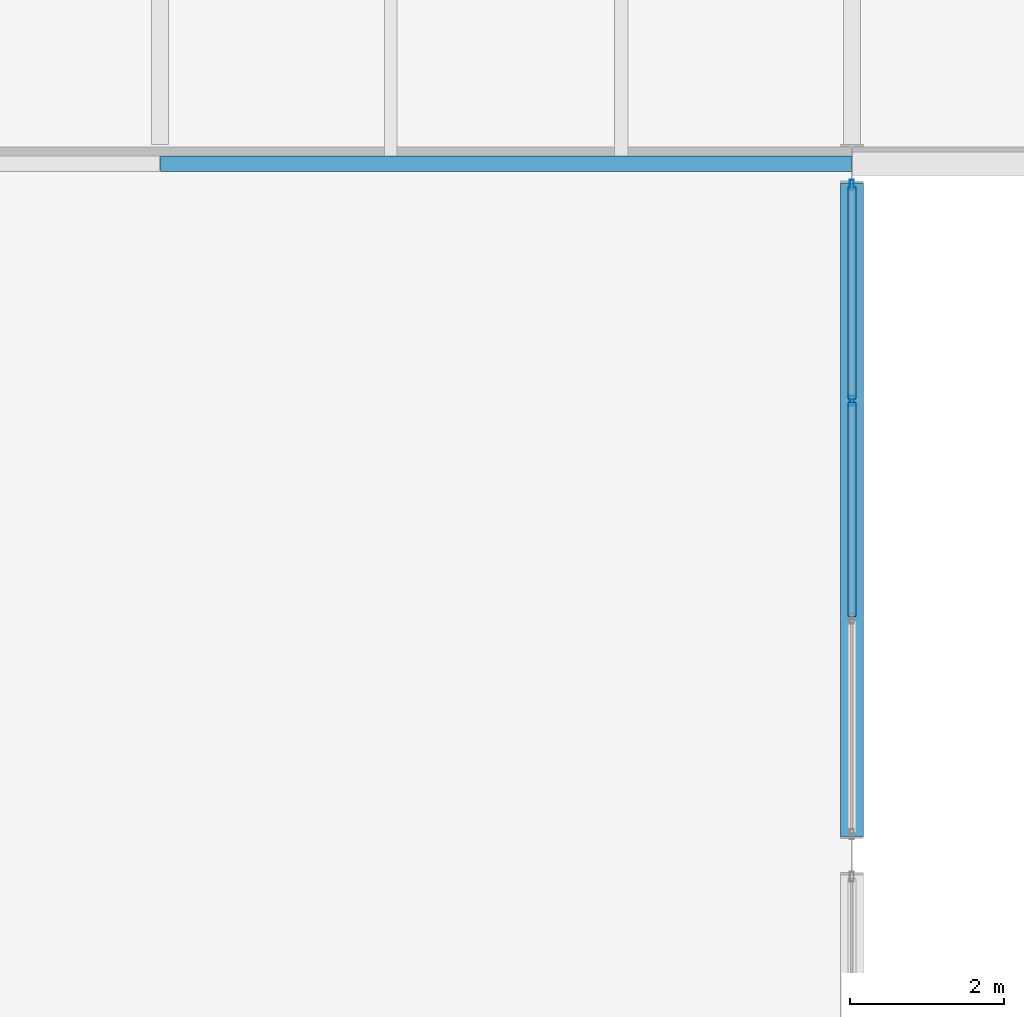
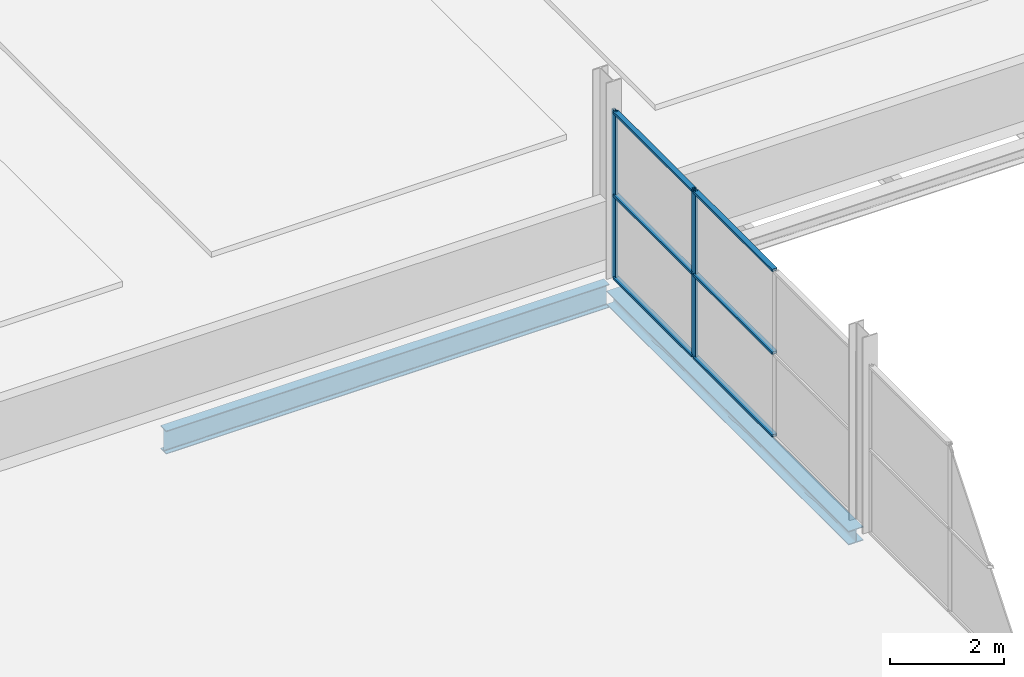
# One storey, part 24 of 59: 8 members, 2 beams, 1 element without a shape of its own.
"""IFC4 building model written with IfcOpenShell, lengths in metres."""

from ifc_helpers import new_model, si_unit, direction, frame, origin, origin_2d, place, context, subcontext, project, spatial, hollow_rectangle, i_section, extrude, material, layer, layer_set, material_profile, profile_set, type_object, element, aggregate, save


model = new_model("IFC4")

# Units and contexts
model_context = context("Model", 3, precision=1e-05, world=origin(), true_north=direction((0.0, 1.0)))
body_context = subcontext(model_context, "Body", "Model", "MODEL_VIEW")
ifc_project = project(units=[si_unit("LENGTHUNIT", "METRE"), si_unit("AREAUNIT", "SQUARE_METRE"), si_unit("VOLUMEUNIT", "CUBIC_METRE"), si_unit("PLANEANGLEUNIT", "RADIAN"), si_unit("MASSUNIT", "GRAM", prefix="KILO")], contexts=[model_context])

# Site, building, storey
site_placement = place(None, origin())
site = spatial("IfcSite", under=ifc_project, at=site_placement, CompositionType="ELEMENT")
building_placement = place(site_placement, origin())
building = spatial("IfcBuilding", under=site, at=building_placement, Name="Deido Ridge Mobility Hub", CompositionType="ELEMENT")
storey_placement = place(building_placement, frame((0.0, 0.0, 21.0)))
storey = spatial("IfcBuildingStorey", under=building, at=storey_placement, Name="L05", CompositionType="ELEMENT", Elevation=21.0)

# Beam
ifc_material_1 = material(Name="Steel S355J2 EN 10025-2", Category="steel")
ifc_material_profile_1 = material_profile(ifc_material_1, i_section(OverallWidth=0.199951171875, OverallDepth=0.5, WebThickness=0.01025390625, FlangeThickness=0.01611328125, FilletRadius=0.02099609375, at=origin_2d()), Name="IPE 500")
ifc_profile_set_1 = profile_set([ifc_material_profile_1], Name="Steel S355J2 EN 10025-2")
beam_type_1 = type_object("IfcBeamType", Name="BM-IPE500", PredefinedType="BEAM", material=ifc_profile_set_1)
beam_1_placement = place(storey_placement, frame((90.007080078125, 81.0, -0.4951171875), z_axis=(1.0, 0.0, 0.0), x_axis=(0.0, 1.0, 0.0)))
element("IfcBeam", 1, at=beam_1_placement, inside=storey, type_object=beam_type_1, Name="Floor beam B3", PredefinedType="BEAM", context=body_context, shape_type="SweptSolid", body=[
    extrude(i_section(OverallWidth=0.199951171875, OverallDepth=0.5, WebThickness=0.01025390625, FlangeThickness=0.01611328125, FilletRadius=0.02099609375, at=origin_2d()), origin(), (0.0, 0.0, 1.0), 8.98583984375),
])

# Curtain wall, members
ifc_material_2 = material(Name="Anodised aluminium EN AW-6063 T6", Category="aluminium")
ifc_layer = layer(ifc_material_2, 0.16796875, Name="Anodised aluminium EN AW-6063 T6")
ifc_layer_set = layer_set([ifc_layer], Name="Anodised aluminium EN AW-6063 T6")
curtain_wall_type = type_object("IfcCurtainWallType", Name="CW-GS-4", PredefinedType="USERDEFINED", material=ifc_layer_set)
curtain_wall_placement = place(storey_placement, origin())
curtain_wall = element("IfcCurtainWall", 2, at=curtain_wall_placement, inside=storey, type_object=curtain_wall_type, Name="Unitised curtain wall GS4", ObjectType="GLAZED SCREEN", PredefinedType="USERDEFINED")
ifc_material_profile_2 = material_profile(ifc_material_2, hollow_rectangle(XDim=0.050048828125, YDim=0.1298828125, WallThickness=0.00390625, at=origin_2d()), Name="RHS 50x130x4")
ifc_profile_set_2 = profile_set([ifc_material_profile_2], Name="Anodised aluminium EN AW-6063 T6")
member_type_1 = type_object("IfcMemberType", Name="MEM-MUL-50X130", PredefinedType="MULLION", material=ifc_profile_set_2)
member_1_placement = place(storey_placement, frame((99.0, 77.916748046875, 0.0), z_axis=(0.0, 0.0, 1.0), x_axis=(-1.0, 0.0, 0.0)))
member_1 = element("IfcMember", 3, at=member_1_placement, type_object=member_type_1, Name="GS4 mullion 3", PredefinedType="MULLION", context=body_context, shape_type="SweptSolid", body=[
    extrude(hollow_rectangle(XDim=0.050048828125, YDim=0.1298828125, WallThickness=0.00390625, at=origin_2d()), origin(), (0.0, 0.0, 1.0), 3.60009765625),
])
member_2_placement = place(storey_placement, frame((99.0, 80.72509765625, 0.0), z_axis=(0.0, 0.0, 1.0), x_axis=(-1.0, 0.0, 0.0)))
member_2 = element("IfcMember", 4, at=member_2_placement, type_object=member_type_1, Name="GS4 mullion 4", PredefinedType="MULLION", context=body_context, shape_type="SweptSolid", body=[
    extrude(hollow_rectangle(XDim=0.050048828125, YDim=0.1298828125, WallThickness=0.00390625, at=origin_2d()), origin(), (0.0, 0.0, 1.0), 3.60009765625),
])
ifc_material_profile_3 = material_profile(ifc_material_2, hollow_rectangle(XDim=0.10498046875, YDim=0.050048828125, WallThickness=0.00390625, at=origin_2d()), Name="RHS 105x50x4")
ifc_profile_set_3 = profile_set([ifc_material_profile_3], Name="Anodised aluminium EN AW-6063 T6")
member_type_2 = type_object("IfcMemberType", Name="MEM-TRN-105X50", PredefinedType="USERDEFINED", material=ifc_profile_set_3)
member_3_placement = place(storey_placement, frame((99.0, 75.1083984375, 0.02490234375), z_axis=(0.0, 1.0, 0.0), x_axis=(-1.0, 0.0, 0.0)))
member_3 = element("IfcMember", 5, at=member_3_placement, type_object=member_type_2, Name="GS4 transom 2.1", ObjectType="TRANSOM", PredefinedType="USERDEFINED", context=body_context, shape_type="SweptSolid", body=[
    extrude(hollow_rectangle(XDim=0.10498046875, YDim=0.050048828125, WallThickness=0.00390625, at=origin_2d()), origin(), (0.0, 0.0, 1.0), 2.783203125),
])
member_4_placement = place(storey_placement, frame((99.0, 75.1083984375, 1.800048828125), z_axis=(0.0, 1.0, 0.0), x_axis=(-1.0, 0.0, 0.0)))
member_4 = element("IfcMember", 6, at=member_4_placement, type_object=member_type_2, Name="GS4 transom 2.2", ObjectType="TRANSOM", PredefinedType="USERDEFINED", context=body_context, shape_type="SweptSolid", body=[
    extrude(hollow_rectangle(XDim=0.10498046875, YDim=0.050048828125, WallThickness=0.00390625, at=origin_2d()), origin(), (0.0, 0.0, 1.0), 2.783203125),
])
member_5_placement = place(storey_placement, frame((99.0, 75.1083984375, 3.574951171875), z_axis=(0.0, 1.0, 0.0), x_axis=(-1.0, 0.0, 0.0)))
member_5 = element("IfcMember", 7, at=member_5_placement, type_object=member_type_2, Name="GS4 transom 2.3", ObjectType="TRANSOM", PredefinedType="USERDEFINED", context=body_context, shape_type="SweptSolid", body=[
    extrude(hollow_rectangle(XDim=0.10498046875, YDim=0.050048828125, WallThickness=0.00390625, at=origin_2d()), origin(), (0.0, 0.0, 1.0), 2.783203125),
])
member_6_placement = place(storey_placement, frame((99.0, 77.941650390625, 0.02490234375), z_axis=(0.0, 1.0, 0.0), x_axis=(-1.0, 0.0, 0.0)))
member_6 = element("IfcMember", 8, at=member_6_placement, type_object=member_type_2, Name="GS4 transom 3.1", ObjectType="TRANSOM", PredefinedType="USERDEFINED", context=body_context, shape_type="SweptSolid", body=[
    extrude(hollow_rectangle(XDim=0.10498046875, YDim=0.050048828125, WallThickness=0.00390625, at=origin_2d()), origin(), (0.0, 0.0, 1.0), 2.75830078125),
])
member_7_placement = place(storey_placement, frame((99.0, 77.941650390625, 1.800048828125), z_axis=(0.0, 1.0, 0.0), x_axis=(-1.0, 0.0, 0.0)))
member_7 = element("IfcMember", 9, at=member_7_placement, type_object=member_type_2, Name="GS4 transom 3.2", ObjectType="TRANSOM", PredefinedType="USERDEFINED", context=body_context, shape_type="SweptSolid", body=[
    extrude(hollow_rectangle(XDim=0.10498046875, YDim=0.050048828125, WallThickness=0.00390625, at=origin_2d()), origin(), (0.0, 0.0, 1.0), 2.75830078125),
])
member_8_placement = place(storey_placement, frame((99.0, 77.941650390625, 3.574951171875), z_axis=(0.0, 1.0, 0.0), x_axis=(-1.0, 0.0, 0.0)))
member_8 = element("IfcMember", 10, at=member_8_placement, type_object=member_type_2, Name="GS4 transom 3.3", ObjectType="TRANSOM", PredefinedType="USERDEFINED", context=body_context, shape_type="SweptSolid", body=[
    extrude(hollow_rectangle(XDim=0.10498046875, YDim=0.050048828125, WallThickness=0.00390625, at=origin_2d()), origin(), (0.0, 0.0, 1.0), 2.75830078125),
])
aggregate(curtain_wall, [member_1, member_2, member_3, member_4, member_5, member_6, member_7, member_8])

# Beam
ifc_material_profile_4 = material_profile(ifc_material_1, i_section(OverallWidth=0.300048828125, OverallDepth=0.300048828125, WebThickness=0.010986328125, FlangeThickness=0.01904296875, FilletRadius=0.027099609375, at=origin_2d()), Name="HEB 300")
ifc_profile_set_4 = profile_set([ifc_material_profile_4], Name="Steel S355J2 EN 10025-2")
beam_type_2 = type_object("IfcBeamType", Name="SPD-HEB300", PredefinedType="SPANDREL", material=ifc_profile_set_4)
beam_2_placement = place(storey_placement, frame((99.0, 72.25, -0.39501953125), z_axis=(0.0, 1.0, 0.0), x_axis=(-1.0, 0.0, 0.0)))
element("IfcBeam", 11, at=beam_2_placement, inside=storey, type_object=beam_type_2, Name="Floor beam SP1", PredefinedType="SPANDREL", context=body_context, shape_type="SweptSolid", body=[
    extrude(i_section(OverallWidth=0.300048828125, OverallDepth=0.300048828125, WebThickness=0.010986328125, FlangeThickness=0.01904296875, FilletRadius=0.027099609375, at=origin_2d()), origin(), (0.0, 0.0, 1.0), 8.5),
])

save(model, "model.ifc")
